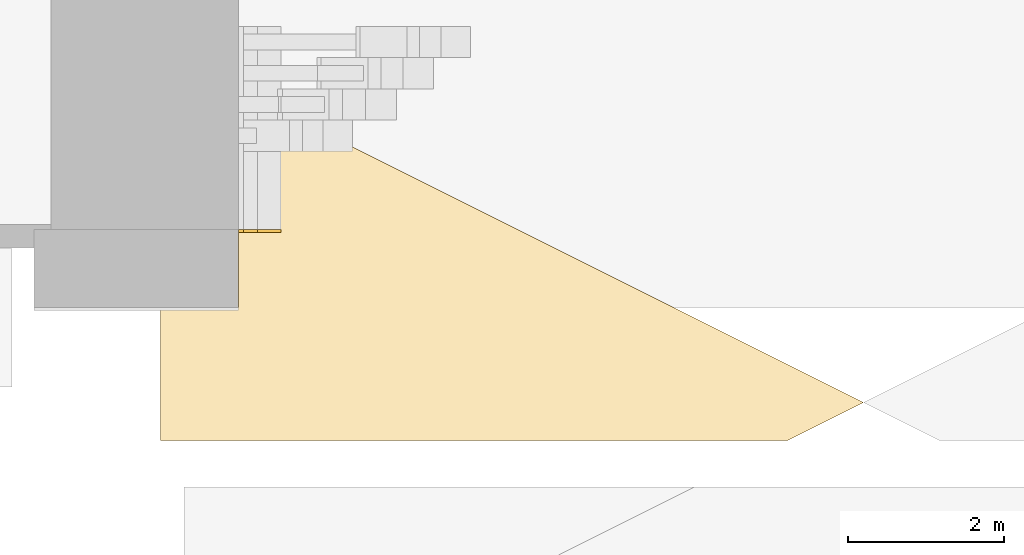
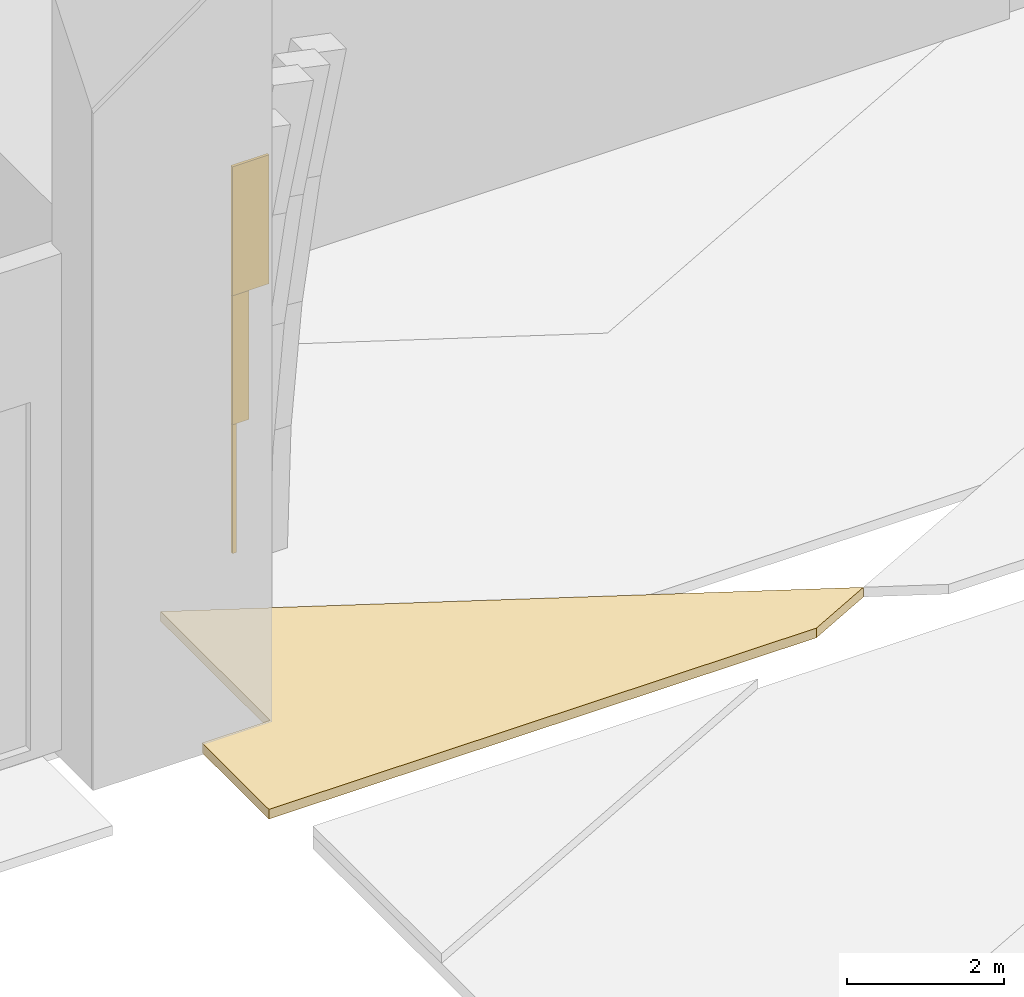
# One storey, part 23 of 34: 4 coverings.
"""IFC4 building model written with IfcOpenShell, lengths in metres."""

from ifc_helpers import new_model, si_unit, direction, frame, origin, place, context, subcontext, project, spatial, polyline, outline, extrude, material, layer, layer_set, type_object, element, save


model = new_model("IFC4")

# Units and contexts
model_context = context("Model", 3, precision=1e-05, world=origin(), true_north=direction((0.0, 1.0)))
body_context = subcontext(model_context, "Body", "Model", "MODEL_VIEW")
ifc_project = project(units=[si_unit("LENGTHUNIT", "METRE"), si_unit("AREAUNIT", "SQUARE_METRE"), si_unit("VOLUMEUNIT", "CUBIC_METRE"), si_unit("PLANEANGLEUNIT", "RADIAN"), si_unit("MASSUNIT", "GRAM", prefix="KILO")], contexts=[model_context])

# Site, building, storey
site_placement = place(None, origin())
site = spatial("IfcSite", under=ifc_project, at=site_placement, CompositionType="ELEMENT")
building_placement = place(site_placement, origin())
building = spatial("IfcBuilding", under=site, at=building_placement, Name="Firuza Gate Tower and Library", CompositionType="ELEMENT")
storey_placement = place(building_placement, origin())
storey = spatial("IfcBuildingStorey", under=building, at=storey_placement, Name="L00", CompositionType="ELEMENT", Elevation=0.0)

# Coverings
ifc_material_1 = material(Name="Glazed ceramic tile")
ifc_layer_1 = layer(ifc_material_1, 0.0400390625)
ifc_layer_set_1 = layer_set([ifc_layer_1], Name="Glazed tile cladding 40")
covering_type_1 = type_object("IfcCoveringType", Name="Glazed tile cladding 40", PredefinedType="CLADDING", material=ifc_layer_set_1)
covering_1_placement = place(storey_placement, frame((57.0, 54.17529296875, 2.0), z_axis=(0.0, -1.0, 0.0), x_axis=(1.0, 0.0, 0.0)))
element("IfcCovering", 1, at=covering_1_placement, inside=storey, type_object=covering_type_1, Name="Gate tile 1", PredefinedType="CLADDING", context=body_context, shape_type="SweptSolid", body=[
    extrude(outline(polyline([(0.0, 0.0), (0.060791015625, 0.0), (0.060791015625, 2.0), (0.0, 2.0), (0.0, 0.0)])), origin(), (0.0, 0.0, -1.0), 0.0400390625),
])
covering_2_placement = place(storey_placement, frame((57.0, 54.17529296875, 4.0), z_axis=(0.0, -1.0, 0.0), x_axis=(1.0, 0.0, 0.0)))
element("IfcCovering", 2, at=covering_2_placement, inside=storey, type_object=covering_type_1, Name="Gate tile 3", PredefinedType="CLADDING", context=body_context, shape_type="SweptSolid", body=[
    extrude(outline(polyline([(0.0, 0.0), (0.239990234375, 0.0), (0.239990234375, 2.0), (0.0, 2.0), (0.0, 0.0)])), origin(), (0.0, 0.0, -1.0), 0.0400390625),
])
covering_3_placement = place(storey_placement, frame((57.0, 54.17529296875, 6.0), z_axis=(0.0, -1.0, 0.0), x_axis=(1.0, 0.0, 0.0)))
element("IfcCovering", 3, at=covering_3_placement, inside=storey, type_object=covering_type_1, Name="Gate tile 5", PredefinedType="CLADDING", context=body_context, shape_type="SweptSolid", body=[
    extrude(outline(polyline([(0.0, 0.0), (0.53955078125, 0.0), (0.53955078125, 2.0), (0.0, 2.0), (0.0, 0.0)])), origin(), (0.0, 0.0, -1.0), 0.0400390625),
])
ifc_material_2 = material(Name="Ceramic paving, turquoise")
ifc_layer_2 = layer(ifc_material_2, 0.14990234375)
ifc_layer_set_2 = layer_set([ifc_layer_2], Name="Turquoise ceramic paving 150")
covering_type_2 = type_object("IfcCoveringType", Name="Turquoise ceramic paving 150", PredefinedType="FLOORING", material=ifc_layer_set_2)
covering_4_placement = place(storey_placement, frame((0.0, 0.0, -0.14990234375)))
element("IfcCovering", 4, at=covering_4_placement, inside=storey, type_object=covering_type_2, Name="Plaza paving", PredefinedType="FLOORING", context=body_context, shape_type="SweptSolid", body=[
    extrude(outline(polyline([(65.0, 52.0), (64.03076171875, 51.515380859375), (56.0, 51.515380859375), (56.0, 53.21533203125), (57.0, 53.21533203125), (57.0, 56.0), (65.0, 52.0)])), origin(), (0.0, 0.0, 1.0), 0.14990234375),
])

save(model, "model.ifc")
